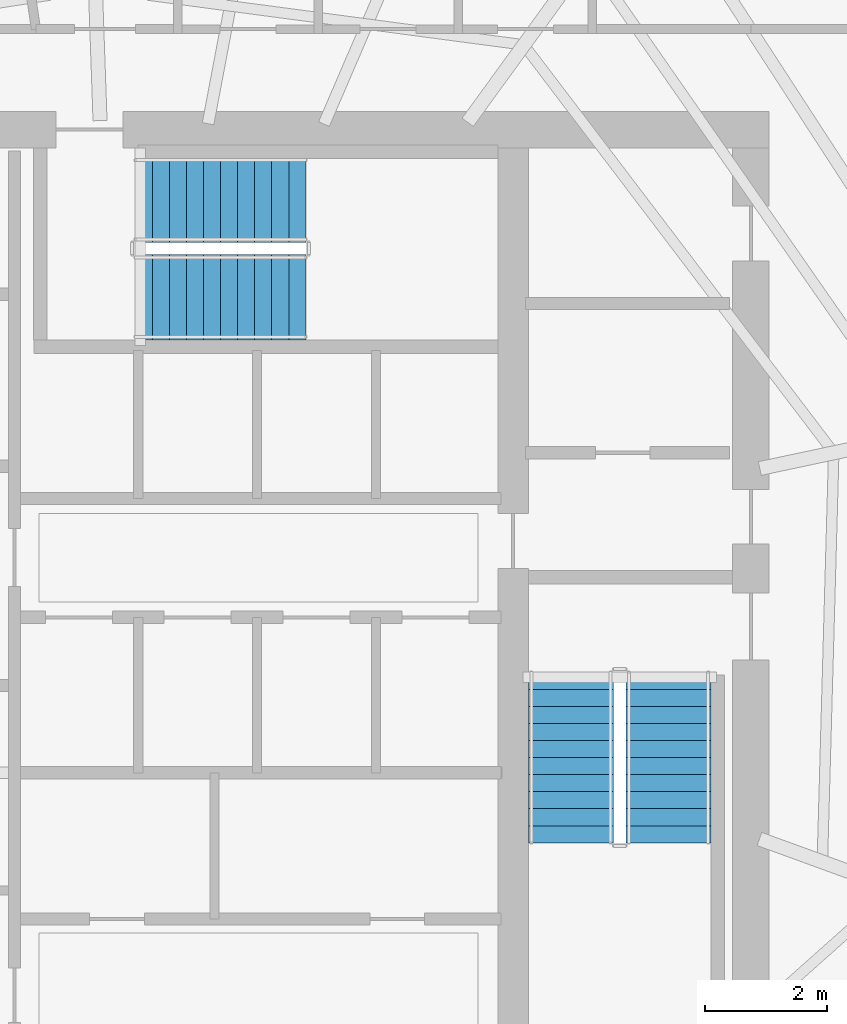
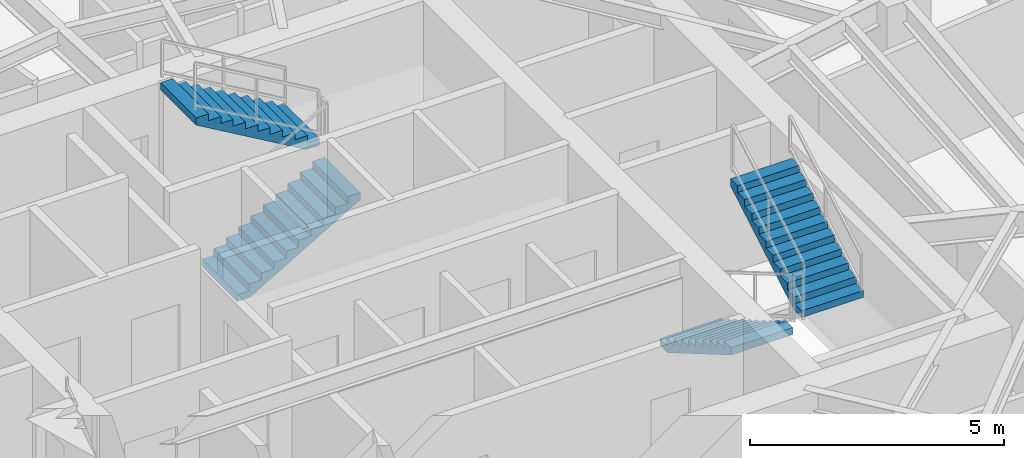
# One storey, part 18 of 20: 4 stair flights, 2 elements without a shape of their own.
"""IFC4 building model written with IfcOpenShell, lengths in metres."""

from ifc_helpers import new_model, si_unit, direction, frame, origin, place, context, subcontext, project, spatial, polyline, outline, extrude, material, type_object, element, aggregate, save


model = new_model("IFC4")

# Units and contexts
model_context = context("Model", 3, precision=1e-05, world=origin(), true_north=direction((0.0, 1.0)))
body_context = subcontext(model_context, "Body", "Model", "MODEL_VIEW")
ifc_project = project(units=[si_unit("LENGTHUNIT", "METRE"), si_unit("AREAUNIT", "SQUARE_METRE"), si_unit("VOLUMEUNIT", "CUBIC_METRE"), si_unit("PLANEANGLEUNIT", "RADIAN"), si_unit("MASSUNIT", "GRAM", prefix="KILO")], contexts=[model_context])

# Site, building, storey
site_placement = place(None, origin())
site = spatial("IfcSite", under=ifc_project, at=site_placement, CompositionType="ELEMENT")
building_placement = place(site_placement, origin())
building = spatial("IfcBuilding", under=site, at=building_placement, Name="Qarnah Convention Tower", CompositionType="ELEMENT")
storey_placement = place(building_placement, frame((0.0, 0.0, 150.89990234375)))
storey = spatial("IfcBuildingStorey", under=building, at=storey_placement, Name="L40", CompositionType="ELEMENT", Elevation=150.89990234375)

# Stair, stair flights
ifc_material = material(Name="Concrete C50/60", Category="concrete")
stair_type = type_object("IfcStairType", Name="STR-OFF", PredefinedType="HALF_TURN_STAIR", material=ifc_material)
stair_1_placement = place(storey_placement, origin())
stair_1 = element("IfcStair", 1, at=stair_1_placement, inside=storey, type_object=stair_type, Name="L40 Core exit stair ST-2", PredefinedType="HALF_TURN_STAIR")
stair_flight_type = type_object("IfcStairFlightType", Name="FLT-OFF", PredefinedType="STRAIGHT", material=ifc_material)
stair_flight_1_placement = place(storey_placement, frame((44.64990234375, 25.300048828125, 0.0), z_axis=(0.0, 0.0, 1.0), x_axis=(0.0, -1.0, 0.0)))
stair_flight_1 = element("IfcStairFlight", 2, at=stair_flight_1_placement, type_object=stair_flight_type, Name="ST-2 flight 1", NumberOfRisers=11, NumberOfTreads=10, PredefinedType="STRAIGHT", RiserHeight=0.163636364, TreadLength=0.28, context=body_context, shape_type="SweptSolid", body=[
    extrude(outline(polyline([(0.0, 0.0), (0.0, 0.16357421875), (0.280029296875, 0.16357421875), (0.280029296875, 0.327392578125), (0.56005859375, 0.327392578125), (0.56005859375, 0.490966796875), (0.840087890625, 0.490966796875), (0.840087890625, 0.654541015625), (1.1201171875, 0.654541015625), (1.1201171875, 0.818115234375), (1.39990234375, 0.818115234375), (1.39990234375, 0.98193359375), (1.679931640625, 0.98193359375), (1.679931640625, 1.1455078125), (1.9599609375, 1.1455078125), (1.9599609375, 1.30908203125), (2.239990234375, 1.30908203125), (2.239990234375, 1.47265625), (2.52001953125, 1.47265625), (2.52001953125, 1.636474609375), (2.800048828125, 1.636474609375), (2.800048828125, 1.800048828125), (2.800048828125, 1.462646484375), (0.297119140625, 0.0), (0.0, 0.0)])), frame((0.0, 0.699951171875, 0.0), z_axis=(0.0, -1.0, 0.0), x_axis=(1.0, 0.0, 0.0)), (0.0, 0.0, 1.0), 1.39990234375),
])
stair_flight_2_placement = place(storey_placement, frame((46.25, 22.5, 1.800048828125), z_axis=(0.0, 0.0, 1.0), x_axis=(0.0, 1.0, 0.0)))
stair_flight_2 = element("IfcStairFlight", 3, at=stair_flight_2_placement, type_object=stair_flight_type, Name="ST-2 flight 2", NumberOfRisers=11, NumberOfTreads=10, PredefinedType="STRAIGHT", RiserHeight=0.163636364, TreadLength=0.28, context=body_context, shape_type="SweptSolid", body=[
    extrude(outline(polyline([(0.0, 0.0), (0.0, 0.16357421875), (0.280029296875, 0.16357421875), (0.280029296875, 0.327392578125), (0.56005859375, 0.327392578125), (0.56005859375, 0.490966796875), (0.840087890625, 0.490966796875), (0.840087890625, 0.654541015625), (1.1201171875, 0.654541015625), (1.1201171875, 0.818115234375), (1.39990234375, 0.818115234375), (1.39990234375, 0.98193359375), (1.679931640625, 0.98193359375), (1.679931640625, 1.1455078125), (1.9599609375, 1.1455078125), (1.9599609375, 1.30908203125), (2.239990234375, 1.30908203125), (2.239990234375, 1.47265625), (2.52001953125, 1.47265625), (2.52001953125, 1.636474609375), (2.800048828125, 1.636474609375), (2.800048828125, 1.800048828125), (2.800048828125, 1.462646484375), (0.297119140625, 0.0), (0.0, 0.0)])), frame((0.0, 0.699951171875, 0.0), z_axis=(0.0, -1.0, 0.0), x_axis=(1.0, 0.0, 0.0)), (0.0, 0.0, 1.0), 1.39990234375),
])
aggregate(stair_1, [stair_flight_1, stair_flight_2])

stair_2_placement = place(storey_placement, origin())
stair_2 = element("IfcStair", 4, at=stair_2_placement, inside=storey, type_object=stair_type, Name="L40 Core exit stair ST-3", PredefinedType="HALF_TURN_STAIR")
stair_flight_3_placement = place(storey_placement, frame((37.5, 31.449951171875, 0.0), z_axis=(0.0, 0.0, 1.0), x_axis=(1.0, 0.0, 0.0)))
stair_flight_3 = element("IfcStairFlight", 5, at=stair_flight_3_placement, type_object=stair_flight_type, Name="ST-3 flight 1", NumberOfRisers=11, NumberOfTreads=10, PredefinedType="STRAIGHT", RiserHeight=0.163636364, TreadLength=0.28, context=body_context, shape_type="SweptSolid", body=[
    extrude(outline(polyline([(0.0, 0.0), (0.0, 0.16357421875), (0.280029296875, 0.16357421875), (0.280029296875, 0.327392578125), (0.56005859375, 0.327392578125), (0.56005859375, 0.490966796875), (0.840087890625, 0.490966796875), (0.840087890625, 0.654541015625), (1.1201171875, 0.654541015625), (1.1201171875, 0.818115234375), (1.39990234375, 0.818115234375), (1.39990234375, 0.98193359375), (1.679931640625, 0.98193359375), (1.679931640625, 1.1455078125), (1.9599609375, 1.1455078125), (1.9599609375, 1.30908203125), (2.239990234375, 1.30908203125), (2.239990234375, 1.47265625), (2.52001953125, 1.47265625), (2.52001953125, 1.636474609375), (2.800048828125, 1.636474609375), (2.800048828125, 1.800048828125), (2.800048828125, 1.462646484375), (0.297119140625, 0.0), (0.0, 0.0)])), frame((0.0, 0.699951171875, 0.0), z_axis=(0.0, -1.0, 0.0), x_axis=(1.0, 0.0, 0.0)), (0.0, 0.0, 1.0), 1.39990234375),
])
stair_flight_4_placement = place(storey_placement, frame((40.300048828125, 33.050048828125, 1.800048828125), z_axis=(0.0, 0.0, 1.0), x_axis=(-1.0, 0.0, 0.0)))
stair_flight_4 = element("IfcStairFlight", 6, at=stair_flight_4_placement, type_object=stair_flight_type, Name="ST-3 flight 2", NumberOfRisers=11, NumberOfTreads=10, PredefinedType="STRAIGHT", RiserHeight=0.163636364, TreadLength=0.28, context=body_context, shape_type="SweptSolid", body=[
    extrude(outline(polyline([(0.0, 0.0), (0.0, 0.16357421875), (0.280029296875, 0.16357421875), (0.280029296875, 0.327392578125), (0.56005859375, 0.327392578125), (0.56005859375, 0.490966796875), (0.840087890625, 0.490966796875), (0.840087890625, 0.654541015625), (1.1201171875, 0.654541015625), (1.1201171875, 0.818115234375), (1.39990234375, 0.818115234375), (1.39990234375, 0.98193359375), (1.679931640625, 0.98193359375), (1.679931640625, 1.1455078125), (1.9599609375, 1.1455078125), (1.9599609375, 1.30908203125), (2.239990234375, 1.30908203125), (2.239990234375, 1.47265625), (2.52001953125, 1.47265625), (2.52001953125, 1.636474609375), (2.800048828125, 1.636474609375), (2.800048828125, 1.800048828125), (2.800048828125, 1.462646484375), (0.297119140625, 0.0), (0.0, 0.0)])), frame((0.0, 0.699951171875, 0.0), z_axis=(0.0, -1.0, 0.0), x_axis=(1.0, 0.0, 0.0)), (0.0, 0.0, 1.0), 1.39990234375),
])
aggregate(stair_2, [stair_flight_3, stair_flight_4])

save(model, "model.ifc")
